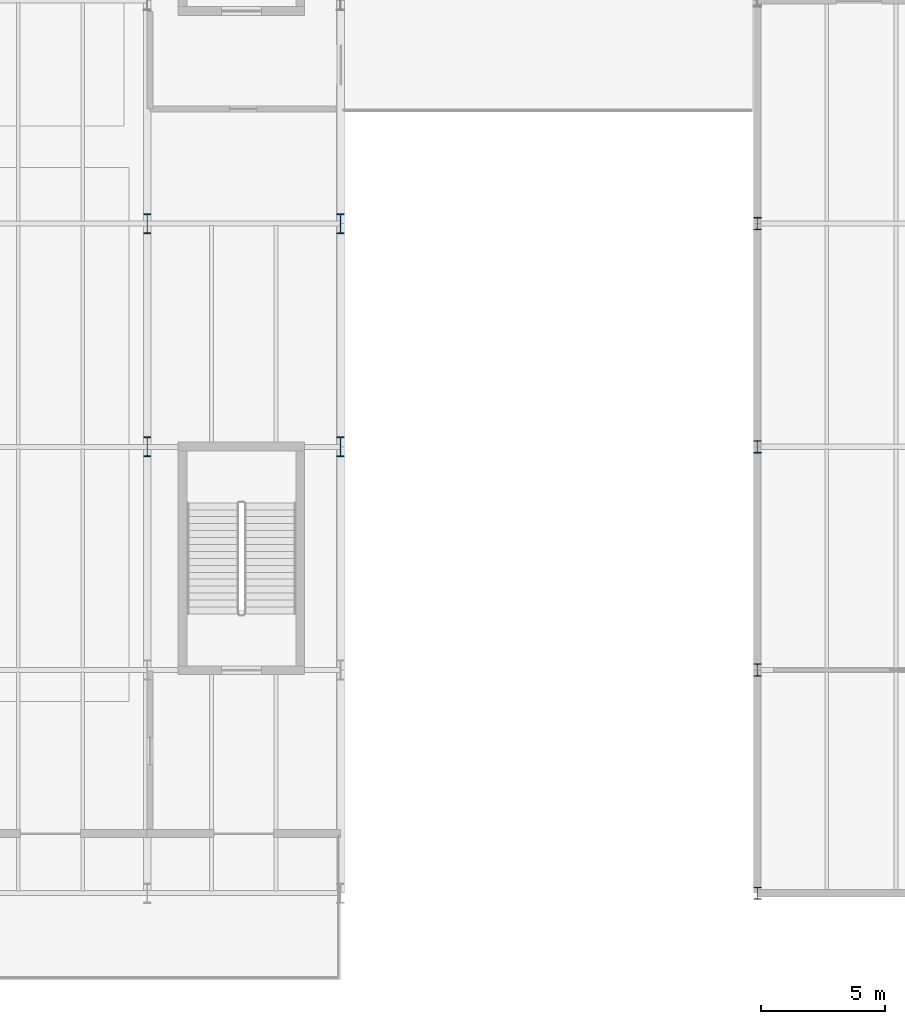
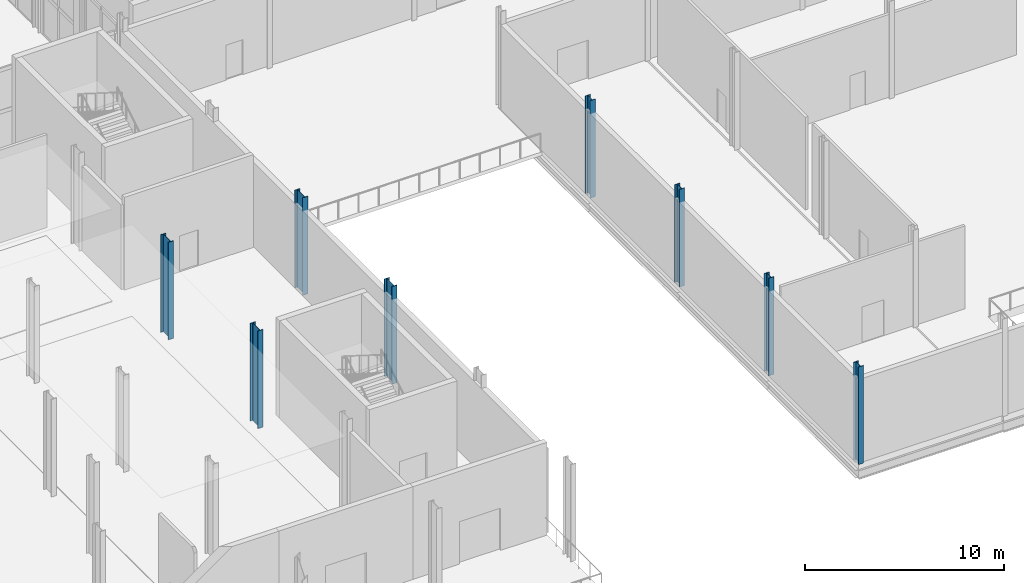
# One storey, part 5 of 84: 8 columns.
"""IFC4 building model written with IfcOpenShell, lengths in metres."""

import ifcopenshell
import ifcopenshell.guid

model = None  # the IFC model being written
_history = None  # IfcOwnerHistory: only IFC2X3 demands one
_inside = {}  # id of a spatial element -> (the spatial element, [elements in it])
_under = {}  # id of a project, library or spatial element -> (it, [spatial elements below it])
_declared = {}  # id of a project -> (the project, [libraries it declares])
_typed = {}  # id of a type object -> (the type object, [elements of that type])
_made_of = {}  # id of a material, layer set ... -> (it, [elements and type objects made of it])


def new_model(schema):
    """Start an empty IFC model of exactly this schema.

    Asked for "IFC4X3", IfcOpenShell would pick the latest addendum, in which some entities
    have other attributes; the version numbers below select the first issue.
    IFC2X3 requires an IfcOwnerHistory on every rooted entity: one is made here for all.
    """
    global model, _history
    if schema == "IFC4X3":
        model = ifcopenshell.file(schema_version=(4, 3, 0, 0))
    else:
        model = ifcopenshell.file(schema=schema)
    _inside.clear()
    _under.clear()
    _declared.clear()
    _typed.clear()
    _made_of.clear()
    _history = None
    if model.schema == "IFC2X3":
        org = make("IfcOrganization", Name="unknown")
        user = make(
            "IfcPersonAndOrganization",
            ThePerson=make("IfcPerson", FamilyName="unknown"),
            TheOrganization=org,
        )
        app = make(
            "IfcApplication",
            ApplicationDeveloper=org,
            Version="unknown",
            ApplicationFullName="unknown",
            ApplicationIdentifier="unknown",
        )
        _history = make(
            "IfcOwnerHistory",
            OwningUser=user,
            OwningApplication=app,
            ChangeAction="ADDED",
            CreationDate=0,
        )
    return model


def make(cls, **values):
    """One entity of the class cls with the attributes given. An attribute that is None is left unset."""
    return model.create_entity(
        cls, **{name: value for name, value in values.items() if value is not None}
    )


def rooted(cls, **values):
    """An entity with a GlobalId (a new one), such as an element, a storey or a relation."""
    return make(cls, GlobalId=ifcopenshell.guid.new(), OwnerHistory=_history, **values)


def si_unit(unit_type, name, prefix=None):
    """IfcSIUnit, for example si_unit("LENGTHUNIT", "METRE", prefix="MILLI")."""
    return make("IfcSIUnit", UnitType=unit_type, Prefix=prefix, Name=name)


def assignment(units):
    """IfcUnitAssignment: the units of a project."""
    return None if units is None else make("IfcUnitAssignment", Units=units)


def point(xyz):
    """IfcCartesianPoint."""
    return None if xyz is None else make("IfcCartesianPoint", Coordinates=xyz)


def direction(xyz):
    """IfcDirection."""
    return None if xyz is None else make("IfcDirection", DirectionRatios=xyz)


def frame(location, z_axis=None, x_axis=None):
    """IfcAxis2Placement3D, a coordinate frame: its origin and axes. An axis left out is left unset."""
    return make(
        "IfcAxis2Placement3D",
        Location=point(location),
        Axis=direction(z_axis),
        RefDirection=direction(x_axis),
    )


def frame_2d(location, x_axis=None):
    """IfcAxis2Placement2D, a coordinate frame in the plane: its origin and x axis."""
    return make(
        "IfcAxis2Placement2D", Location=point(location), RefDirection=direction(x_axis)
    )


def origin():
    """The frame at (0, 0, 0) with its axes left unset."""
    return frame((0.0, 0.0, 0.0))


def origin_2d():
    """The frame at (0, 0) in the plane with its x axis left unset."""
    return frame_2d((0.0, 0.0))


def place(relative_to, where):
    """IfcLocalPlacement: puts the frame where relative to a parent placement (None: the world)."""
    return make(
        "IfcLocalPlacement", PlacementRelTo=relative_to, RelativePlacement=where
    )


def context(
    kind, dimensions, precision=None, world=None, true_north=None, identifier=None
):
    """IfcGeometricRepresentationContext, for example the 3D "Model" context."""
    return make(
        "IfcGeometricRepresentationContext",
        ContextIdentifier=identifier,
        ContextType=kind,
        CoordinateSpaceDimension=dimensions,
        Precision=precision,
        WorldCoordinateSystem=world,
        TrueNorth=true_north,
    )


def subcontext(parent, identifier, kind, view, scale=None):
    """IfcGeometricRepresentationSubContext, for example "Body" below "Model"."""
    return make(
        "IfcGeometricRepresentationSubContext",
        ContextIdentifier=identifier,
        ContextType=kind,
        ParentContext=parent,
        TargetScale=scale,
        TargetView=view,
    )


def project(units=None, contexts=None):
    """IfcProject with its units and contexts."""
    return rooted(
        "IfcProject",
        Name="project",
        RepresentationContexts=contexts,
        UnitsInContext=assignment(units),
    )


def spatial(cls, under=None, at=None, **own):
    """A site, building, storey or space (cls), placed at a placement, below another one or the project."""
    s = rooted(cls, ObjectPlacement=at, **own)
    if under is not None:
        _under.setdefault(under.id(), (under, []))[1].append(s)
    return s


def profile(cls, at=None, kind="AREA", **sizes):
    """A parametric profile (cls). Its sizes go by their IFC names, for example OverallWidth=200.0."""
    return make(cls, ProfileType=kind, Position=at, **sizes)


def i_section(**sizes):
    """IfcIShapeProfileDef."""
    return profile("IfcIShapeProfileDef", **sizes)


def extrude(swept, where, along, depth):
    """IfcExtrudedAreaSolid: the profile swept, set in the frame where, extruded along a direction by depth."""
    return make(
        "IfcExtrudedAreaSolid",
        SweptArea=swept,
        Position=where,
        ExtrudedDirection=direction(along),
        Depth=depth,
    )


def shape(context_of_items, identifier, shape_type, items):
    """IfcShapeRepresentation: the items that make up one representation, for example the "Body"."""
    return make(
        "IfcShapeRepresentation",
        ContextOfItems=context_of_items,
        RepresentationIdentifier=identifier,
        RepresentationType=shape_type,
        Items=items,
    )


def material(Name=None, Category=None):
    """IfcMaterial."""
    return make("IfcMaterial", Name=Name, Category=Category)


def material_profile(
    of_material, cross_section, Name=None, Category=None, Priority=None
):
    """IfcMaterialProfile: a cross section and its material."""
    return make(
        "IfcMaterialProfile",
        Name=Name,
        Material=of_material,
        Profile=cross_section,
        Priority=Priority,
        Category=Category,
    )


def profile_set(profiles, Name=None, composite=None):
    """IfcMaterialProfileSet."""
    return make(
        "IfcMaterialProfileSet",
        Name=Name,
        MaterialProfiles=profiles,
        CompositeProfile=composite,
    )


def made_of(thing, what):
    """Note that an element or type object is made of a material, layer set ...; save() writes the relation."""
    if what is not None:
        _made_of.setdefault(what.id(), (what, []))[1].append(thing)
    return thing


def type_object(cls, material=None, **own):
    """A type object (cls), such as IfcWallType, which elements share."""
    return made_of(rooted(cls, **own), material)


def element(
    cls,
    number,
    at=None,
    inside=None,
    cuts=None,
    type_object=None,
    material=None,
    context=None,
    identifier="Body",
    shape_type=None,
    held_by="IfcProductDefinitionShape",
    body=None,
    shapes=None,
    **own,
):
    """One element of the class cls, such as IfcWall. Its Tag is "e" and its number.

    at: its placement. inside: the storey or other place that contains it. cuts: it is an
    opening in that element (IfcRelVoidsElement). A single representation is given by context,
    identifier, shape_type and body (its items); several are given by shapes. held_by: the class
    of the entity that holds the representations. save() writes the other relations.
    """
    e = rooted(cls, Tag="e%d" % number, ObjectPlacement=at, **own)
    if body is not None:
        shapes = [shape(context, identifier, shape_type, body)]
    if shapes is not None:
        e.Representation = make(held_by, Representations=shapes)
    if inside is not None:
        _inside.setdefault(inside.id(), (inside, []))[1].append(e)
    if cuts is not None:
        rooted(
            "IfcRelVoidsElement", RelatingBuildingElement=cuts, RelatedOpeningElement=e
        )
    if type_object is not None:
        _typed.setdefault(type_object.id(), (type_object, []))[1].append(e)
    return made_of(e, material)


def aggregate(whole, parts):
    """IfcRelAggregates: a whole, such as a stair, and the parts it consists of."""
    return rooted("IfcRelAggregates", RelatingObject=whole, RelatedObjects=parts)


def save(model, path):
    """Write the relations noted so far, then the file.

    IfcRelAggregates (storeys below a building ...), IfcRelContainedInSpatialStructure (elements
    in a storey), IfcRelDefinesByType, IfcRelAssociatesMaterial and IfcRelDeclares: one each for
    every whole, place, type object, material and project.
    """
    for whole, parts in _under.values():
        aggregate(whole, parts)
    for where, things in _inside.values():
        rooted(
            "IfcRelContainedInSpatialStructure",
            RelatedElements=things,
            RelatingStructure=where,
        )
    for kind, things in _typed.values():
        rooted("IfcRelDefinesByType", RelatedObjects=things, RelatingType=kind)
    for what, things in _made_of.values():
        rooted("IfcRelAssociatesMaterial", RelatedObjects=things, RelatingMaterial=what)
    for by, libraries in _declared.values():
        rooted("IfcRelDeclares", RelatingContext=by, RelatedDefinitions=libraries)
    model.write(path)


model = new_model("IFC4")

# Units and contexts
model_context = context("Model", 3, precision=1e-05, world=origin(), true_north=direction((0.0, 1.0)))
body_context = subcontext(model_context, "Body", "Model", "MODEL_VIEW")
ifc_project = project(units=[si_unit("LENGTHUNIT", "METRE"), si_unit("AREAUNIT", "SQUARE_METRE"), si_unit("VOLUMEUNIT", "CUBIC_METRE"), si_unit("PLANEANGLEUNIT", "RADIAN"), si_unit("MASSUNIT", "GRAM", prefix="KILO")], contexts=[model_context])

# Site, building, storey
site_placement = place(None, origin())
site = spatial("IfcSite", under=ifc_project, at=site_placement, CompositionType="ELEMENT")
building_placement = place(site_placement, origin())
building = spatial("IfcBuilding", under=site, at=building_placement, Name="Sefraquen Railside Congress Hotel", CompositionType="ELEMENT")
storey_placement = place(building_placement, origin())
storey = spatial("IfcBuildingStorey", under=building, at=storey_placement, Name="L00", CompositionType="ELEMENT", Elevation=0.0)

# Columns
ifc_material = material(Name="Steel S355JR", Category="steel")
ifc_material_profile_1 = material_profile(ifc_material, i_section(OverallWidth=0.300048828125, OverallDepth=0.5, WebThickness=0.014404296875, FlangeThickness=0.028076171875, FilletRadius=0.027099609375, at=origin_2d()), Name="HEB 500")
ifc_profile_set_1 = profile_set([ifc_material_profile_1], Name="Steel S355JR")
column_type_1 = type_object("IfcColumnType", Name="TC-HEB-500", PredefinedType="COLUMN", material=ifc_profile_set_1)
for number, where, z_axis, x_axis, name in (
    (1, (120.0, 9.0, 0.0), (0.0, 0.0, 1.0), (1.0, 0.0, 0.0), "Structural column 16-B L00"),
    (2, (120.0, 18.0, 0.0), (0.0, 0.0, 1.0), (1.0, 0.0, 0.0), "Structural column 16-C L00"),
    (3, (120.0, 27.0, 0.0), (0.0, 0.0, 1.0), (1.0, 0.0, 0.0), "Structural column 16-D L00"),
    (4, (120.0, 36.0, 0.0), (0.0, 0.0, 1.0), (1.0, 0.0, 0.0), "Structural column 16-E L00"),
):
    element("IfcColumn", number, at=place(storey_placement, frame(where, z_axis=z_axis, x_axis=x_axis)), inside=storey, type_object=column_type_1, Name=name, PredefinedType="COLUMN", context=body_context, shape_type="SweptSolid", body=[
        extrude(i_section(OverallWidth=0.300048828125, OverallDepth=0.5, WebThickness=0.014404296875, FlangeThickness=0.028076171875, FilletRadius=0.027099609375, at=origin_2d()), origin(), (0.0, 0.0, 1.0), 6.0),
    ])
ifc_material_profile_2 = material_profile(ifc_material, i_section(OverallWidth=0.300048828125, OverallDepth=0.800048828125, WebThickness=0.017578125, FlangeThickness=0.032958984375, FilletRadius=0.030029296875, at=origin_2d()), Name="HEB 800")
ifc_profile_set_2 = profile_set([ifc_material_profile_2], Name="Steel S355JR")
column_type_2 = type_object("IfcColumnType", Name="TC-HEB-800", PredefinedType="COLUMN", material=ifc_profile_set_2)
for number, where, z_axis, x_axis, name in (
    (5, (95.39990234375, 27.0, 0.0), (0.0, 0.0, 1.0), (1.0, 0.0, 0.0), "Structural column 13-D L00"),
    (6, (95.39990234375, 36.0, 0.0), (0.0, 0.0, 1.0), (1.0, 0.0, 0.0), "Structural column 13-E L00"),
    (7, (103.199951171875, 27.0, 0.0), (0.0, 0.0, 1.0), (1.0, 0.0, 0.0), "Structural column 14-D L00"),
    (8, (103.199951171875, 36.0, 0.0), (0.0, 0.0, 1.0), (1.0, 0.0, 0.0), "Structural column 14-E L00"),
):
    element("IfcColumn", number, at=place(storey_placement, frame(where, z_axis=z_axis, x_axis=x_axis)), inside=storey, type_object=column_type_2, Name=name, PredefinedType="COLUMN", context=body_context, shape_type="SweptSolid", body=[
        extrude(i_section(OverallWidth=0.300048828125, OverallDepth=0.800048828125, WebThickness=0.017578125, FlangeThickness=0.032958984375, FilletRadius=0.030029296875, at=origin_2d()), origin(), (0.0, 0.0, 1.0), 6.0),
    ])

save(model, "model.ifc")
